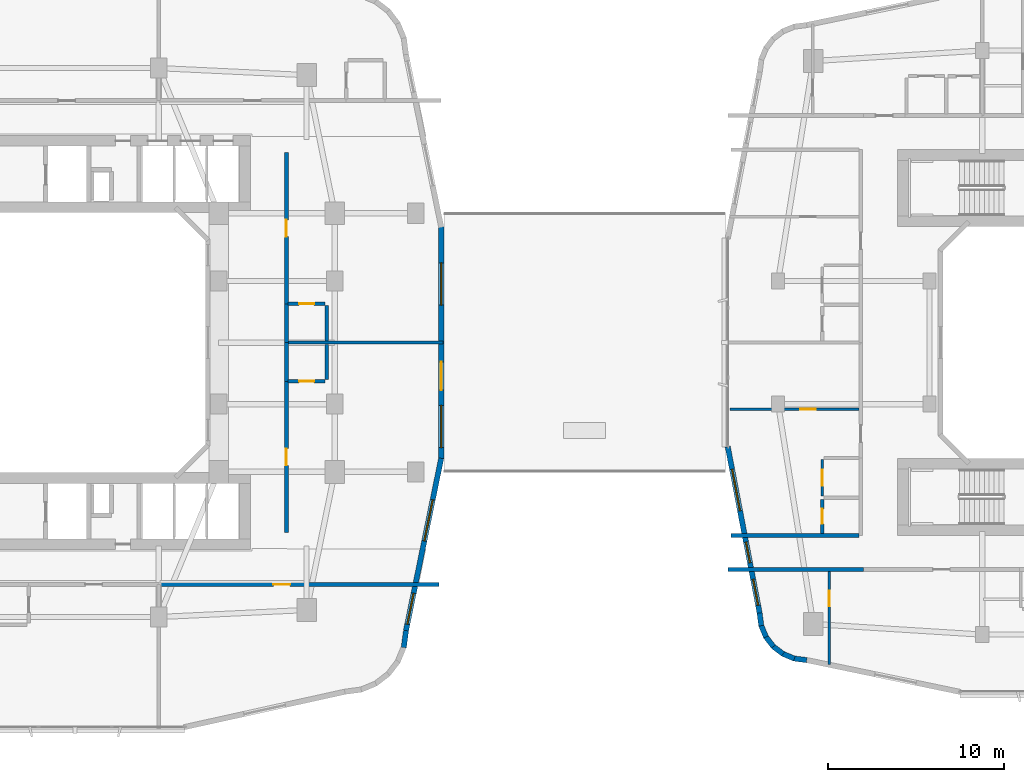
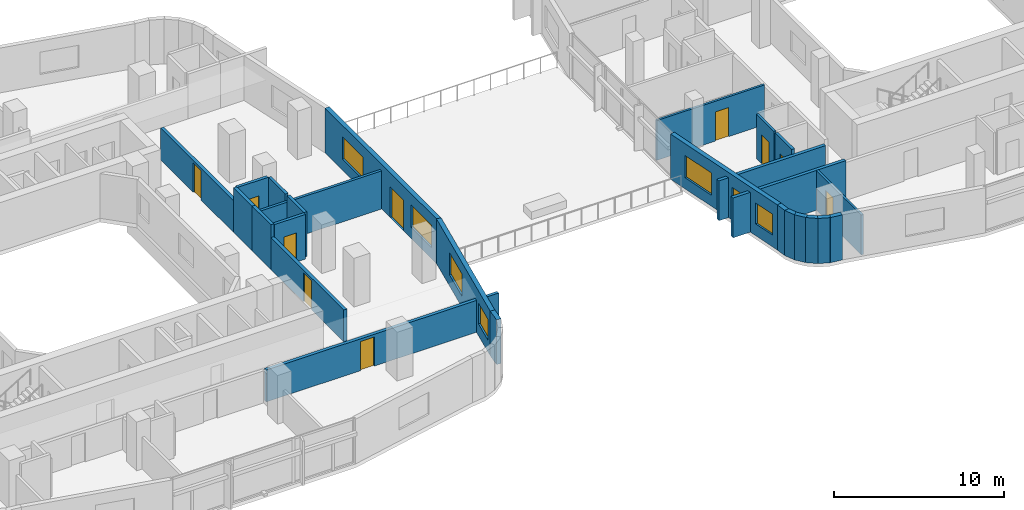
# One storey, part 14 of 25: 26 walls, 10 doors, 7 windows, 17 openings.
"""IFC4 building model written with IfcOpenShell, lengths in metres."""

from ifc_helpers import new_model, si_unit, derived_unit, direction, frame, frame_2d, origin, place, context, subcontext, project, spatial, rectangle, extrude, material, layer, layer_set, type_object, element, fill, save


model = new_model("IFC4")

# Units and contexts
model_context = context("Model", 3, precision=1e-05, world=origin(), true_north=direction((0.0, 1.0)))
body_context = subcontext(model_context, "Body", "Model", "MODEL_VIEW")
ifc_project = project(units=[si_unit("LENGTHUNIT", "METRE"), si_unit("AREAUNIT", "SQUARE_METRE"), si_unit("VOLUMEUNIT", "CUBIC_METRE"), si_unit("PLANEANGLEUNIT", "RADIAN"), si_unit("MASSUNIT", "GRAM", prefix="KILO"), derived_unit("THERMALTRANSMITTANCEUNIT", [(si_unit("POWERUNIT", "WATT"), 1), (si_unit("LENGTHUNIT", "METRE"), -2), (si_unit("THERMODYNAMICTEMPERATUREUNIT", "KELVIN"), -1)])], contexts=[model_context])

# Site, building, storey
site_placement = place(None, origin())
site = spatial("IfcSite", under=ifc_project, at=site_placement, CompositionType="ELEMENT")
building_placement = place(site_placement, origin())
building = spatial("IfcBuilding", under=site, at=building_placement, Name="Kivonza Crest Hotel", CompositionType="ELEMENT")
storey_placement = place(building_placement, frame((0.0, 0.0, 24.0)))
storey = spatial("IfcBuildingStorey", under=building, at=storey_placement, Name="L05", CompositionType="ELEMENT", Elevation=24.0)

# Wall
ifc_material_1 = material(Name="High-density acoustic masonry inter-tenancy wall", Category="masonry")
ifc_layer_1 = layer(ifc_material_1, 0.179931640625)
ifc_layer_set_1 = layer_set([ifc_layer_1], Name="High-density acoustic masonry inter-tenancy wall")
wall_type_1 = type_object("IfcWallType", Name="WL-ACOU-180", PredefinedType="SOLIDWALL", material=ifc_layer_set_1)
wall_1_placement = place(storey_placement, frame((33.050048828125, 25.0, 0.0), z_axis=(0.0, 0.0, 1.0), x_axis=(1.0, 0.0, 0.0)))
element("IfcWall", 1, at=wall_1_placement, inside=storey, type_object=wall_type_1, Name="L05 interior partition WA-L05-T1E-DIV1", PredefinedType="SOLIDWALL", context=body_context, shape_type="SweptSolid", body=[
    extrude(rectangle(XDim=8.889892578125, YDim=0.179931640625, at=frame_2d((4.44482421875, 0.0))), origin(), (0.0, 0.0, 1.0), 2.7451171875),
])

# Wall, opening, door
ifc_material_2 = material(Name="Autoclaved aerated concrete blockwork", Category="masonry")
ifc_layer_2 = layer(ifc_material_2, 0.219970703125)
ifc_layer_set_2 = layer_set([ifc_layer_2], Name="Autoclaved aerated concrete blockwork")
wall_type_2 = type_object("IfcWallType", Name="WL-ACOU-220", PredefinedType="SOLIDWALL", material=ifc_layer_set_2)
wall_2_placement = place(storey_placement, frame((25.89990234375, 11.25, 0.0), z_axis=(0.0, 0.0, 1.0), x_axis=(1.0, 0.0, 0.0)))
wall_2 = element("IfcWall", 2, at=wall_2_placement, inside=storey, type_object=wall_type_2, Name="L05 interior partition WA-L05-BUS-MTG-N", PredefinedType="SOLIDWALL", context=body_context, shape_type="SweptSolid", body=[
    extrude(rectangle(XDim=15.840087890625, YDim=0.219970703125, at=frame_2d((7.919921875, 0.0))), origin(), (0.0, 0.0, 1.0), 2.294921875),
])
opening_1_placement = place(wall_2_placement, frame((6.410888671875, 0.0, 0.0)))
opening_1 = element("IfcOpeningElement", 3, at=opening_1_placement, cuts=wall_2, Name="Opening DF-60S", PredefinedType="OPENING", context=body_context, shape_type="SweptSolid", body=[
    extrude(rectangle(XDim=0.949951171875, YDim=2.10009765625, at=frame_2d((0.47509765625, 1.050048828125))), frame((0.0, 0.1201171875, 0.0), z_axis=(0.0, -1.0, 0.0), x_axis=(1.0, 0.0, 0.0)), (0.0, 0.0, 1.0), 0.239990234375),
])
ifc_material_3 = material(Name="Hardwood timber oak", Category="wood")
door_type_1 = type_object("IfcDoorType", Name="DR-FD60-950", OperationType="NOTDEFINED", PredefinedType="DOOR", material=ifc_material_3)
door_1_placement = place(opening_1_placement, frame((0.949951171875, 0.0, 0.0), z_axis=(0.0, 0.0, 1.0), x_axis=(-1.0, 0.0, 0.0)))
door_1 = element("IfcDoor", 4, at=door_1_placement, inside=storey, type_object=door_type_1, Name="L05 Guest Business Office door", OperationType="SINGLE_SWING_RIGHT", OverallHeight=2.10009765625, OverallWidth=0.949951171875, PredefinedType="DOOR", context=body_context, shape_type="SweptSolid", body=[
    extrude(rectangle(XDim=0.949951171875, YDim=2.10009765625, at=frame_2d((0.47509765625, 1.050048828125))), frame((0.0, 0.02490234375, 0.0), z_axis=(0.0, -1.0, 0.0), x_axis=(1.0, 0.0, 0.0)), (0.0, 0.0, 1.0), 0.050048828125),
])
fill(opening_1, door_1)

# Wall
wall_3_placement = place(storey_placement, frame((33.050048828125, 22.800048828125, 0.0), z_axis=(0.0, 0.0, 1.0), x_axis=(0.0, 1.0, 0.0)))
element("IfcWall", 5, at=wall_3_placement, inside=storey, type_object=wall_type_2, Name="L05 interior partition WA-L05-E08-BCORR", PredefinedType="SOLIDWALL", context=body_context, shape_type="SweptSolid", body=[
    extrude(rectangle(XDim=2.199951171875, YDim=0.219970703125, at=frame_2d((1.10009765625, 0.0))), origin(), (0.0, 0.0, 1.0), 3.219970703125),
])

# Wall, opening, door
wall_4_placement = place(storey_placement, frame((33.050048828125, 14.199951171875, 0.0), z_axis=(0.0, 0.0, 1.0), x_axis=(0.0, 1.0, 0.0)))
wall_4 = element("IfcWall", 6, at=wall_4_placement, inside=storey, type_object=wall_type_2, Name="L05 interior partition WA-L05-E08-MCORR", PredefinedType="SOLIDWALL", context=body_context, shape_type="SweptSolid", body=[
    extrude(rectangle(XDim=8.60009765625, YDim=0.219970703125, at=frame_2d((4.300048828125, 0.0))), origin(), (0.0, 0.0, 1.0), 2.294921875),
])
opening_2_placement = place(wall_4_placement, frame((3.824951171875, 0.0, 0.0)))
opening_2 = element("IfcOpeningElement", 7, at=opening_2_placement, cuts=wall_4, Name="Opening DU-60", PredefinedType="OPENING", context=body_context, shape_type="SweptSolid", body=[
    extrude(rectangle(XDim=0.949951171875, YDim=2.10009765625, at=frame_2d((0.47509765625, 1.050048828125))), frame((0.0, 0.1201171875, 0.0), z_axis=(0.0, -1.0, 0.0), x_axis=(1.0, 0.0, 0.0)), (0.0, 0.0, 1.0), 0.239990234375),
])
door_type_2 = type_object("IfcDoorType", Name="DR-UNIT-950", OperationType="NOTDEFINED", PredefinedType="DOOR", material=ifc_material_3)
door_2_placement = place(opening_2_placement, frame((0.949951171875, 0.0, 0.0), z_axis=(0.0, 0.0, 1.0), x_axis=(-1.0, 0.0, 0.0)))
door_2 = element("IfcDoor", 8, at=door_2_placement, inside=storey, type_object=door_type_2, Name="L05 E08 guest unit entrance fire door", OperationType="SINGLE_SWING_RIGHT", OverallHeight=2.10009765625, OverallWidth=0.949951171875, PredefinedType="DOOR", context=body_context, shape_type="SweptSolid", body=[
    extrude(rectangle(XDim=0.949951171875, YDim=2.10009765625, at=frame_2d((0.47509765625, 1.050048828125))), frame((0.0, 0.02490234375, 0.0), z_axis=(0.0, -1.0, 0.0), x_axis=(1.0, 0.0, 0.0)), (0.0, 0.0, 1.0), 0.050048828125),
])
fill(opening_2, door_2)

# Wall
wall_5_placement = place(storey_placement, frame((33.050048828125, 25.0, 0.0), z_axis=(0.0, 0.0, 1.0), x_axis=(0.0, 1.0, 0.0)))
element("IfcWall", 9, at=wall_5_placement, inside=storey, type_object=wall_type_2, Name="L05 interior partition WA-L05-E09-BCORR", PredefinedType="SOLIDWALL", context=body_context, shape_type="SweptSolid", body=[
    extrude(rectangle(XDim=2.199951171875, YDim=0.219970703125, at=frame_2d((1.10009765625, 0.0))), origin(), (0.0, 0.0, 1.0), 3.219970703125),
])

# Wall, opening, door
wall_6_placement = place(storey_placement, frame((33.050048828125, 27.199951171875, 0.0), z_axis=(0.0, 0.0, 1.0), x_axis=(0.0, 1.0, 0.0)))
wall_6 = element("IfcWall", 10, at=wall_6_placement, inside=storey, type_object=wall_type_2, Name="L05 interior partition WA-L05-E09-MCORR", PredefinedType="SOLIDWALL", context=body_context, shape_type="SweptSolid", body=[
    extrude(rectangle(XDim=8.60009765625, YDim=0.219970703125, at=frame_2d((4.300048828125, 0.0))), origin(), (0.0, 0.0, 1.0), 2.294921875),
])
opening_3_placement = place(wall_6_placement, frame((3.824951171875, 0.0, 0.0)))
opening_3 = element("IfcOpeningElement", 11, at=opening_3_placement, cuts=wall_6, Name="Opening DU-60", PredefinedType="OPENING", context=body_context, shape_type="SweptSolid", body=[
    extrude(rectangle(XDim=0.949951171875, YDim=2.10009765625, at=frame_2d((0.47509765625, 1.050048828125))), frame((0.0, 0.1201171875, 0.0), z_axis=(0.0, -1.0, 0.0), x_axis=(1.0, 0.0, 0.0)), (0.0, 0.0, 1.0), 0.239990234375),
])
door_3_placement = place(opening_3_placement, frame((0.949951171875, 0.0, 0.0), z_axis=(0.0, 0.0, 1.0), x_axis=(-1.0, 0.0, 0.0)))
door_3 = element("IfcDoor", 12, at=door_3_placement, inside=storey, type_object=door_type_2, Name="L05 E09 guest unit entrance fire door", OperationType="SINGLE_SWING_LEFT", OverallHeight=2.10009765625, OverallWidth=0.949951171875, PredefinedType="DOOR", context=body_context, shape_type="SweptSolid", body=[
    extrude(rectangle(XDim=0.949951171875, YDim=2.10009765625, at=frame_2d((0.47509765625, 1.050048828125))), frame((0.0, 0.02490234375, 0.0), z_axis=(0.0, -1.0, 0.0), x_axis=(1.0, 0.0, 0.0)), (0.0, 0.0, 1.0), 0.050048828125),
])
fill(opening_3, door_3)

# Walls
wall_7_placement = place(storey_placement, frame((58.159912109375, 12.10009765625, 0.0), z_axis=(0.0, 0.0, 1.0), x_axis=(1.0, 0.0, 0.0)))
element("IfcWall", 13, at=wall_7_placement, inside=storey, type_object=wall_type_2, Name="L05 interior partition WA-L05-A03-LCORR", PredefinedType="SOLIDWALL", context=body_context, shape_type="SweptSolid", body=[
    extrude(rectangle(XDim=7.690185546875, YDim=0.219970703125, at=frame_2d((3.84521484375, 0.0))), origin(), (0.0, 0.0, 1.0), 2.864990234375),
])
wall_8_placement = place(storey_placement, frame((58.320068359375, 14.0400390625, 0.0), z_axis=(0.0, 0.0, 1.0), x_axis=(1.0, 0.0, 0.0)))
element("IfcWall", 14, at=wall_8_placement, inside=storey, type_object=wall_type_2, Name="L05 interior partition WA-L05-T2W-ENDS", PredefinedType="SOLIDWALL", context=body_context, shape_type="SweptSolid", body=[
    extrude(rectangle(XDim=7.280029296875, YDim=0.219970703125, at=frame_2d((3.64013671875, 0.0))), origin(), (0.0, 0.0, 1.0), 2.864990234375),
])
ifc_material_4 = material(Name="Precast concrete C40/50", Category="concrete")
ifc_layer_3 = layer(ifc_material_4, 0.300048828125)
ifc_layer_set_3 = layer_set([ifc_layer_3], Name="Precast concrete C40/50")
wall_type_3 = type_object("IfcWallType", Name="WL-EXT-300", PredefinedType="STANDARD", material=ifc_layer_set_3)
wall_9_placement = place(storey_placement, frame((39.72509765625, 7.6630859375, 0.0), z_axis=(0.0, 0.0, 1.0), x_axis=(0.130454512571, 0.991454295543, 0.0)))
element("IfcWall", 15, at=wall_9_placement, inside=storey, type_object=wall_type_3, Name="L05 T1 exterior insulated wall 15", PredefinedType="STANDARD", context=body_context, shape_type="SweptSolid", body=[
    extrude(rectangle(XDim=0.97314453125, YDim=0.300048828125, at=frame_2d((0.486572265625, 0.0))), origin(), (0.0, 0.0, 1.0), 3.219970703125),
])

# Wall, openings, windows
wall_10_placement = place(storey_placement, frame((39.85107421875, 8.6220703125, 0.0), z_axis=(0.0, 0.0, 1.0), x_axis=(0.200002104792, 0.979795467472, 0.0)))
wall_10 = element("IfcWall", 16, at=wall_10_placement, inside=storey, type_object=wall_type_3, Name="L05 T1 exterior insulated wall 16", PredefinedType="STANDARD", context=body_context, shape_type="SweptSolid", body=[
    extrude(rectangle(XDim=10.0, YDim=0.300048828125, at=frame_2d((5.0, 0.0))), origin(), (0.0, 0.0, 1.0), 3.219970703125),
])
opening_4_placement = place(wall_10_placement, frame((0.3779296875, 0.0, 0.85009765625)))
opening_4 = element("IfcOpeningElement", 17, at=opening_4_placement, cuts=wall_10, Name="Opening WN-03", PredefinedType="OPENING", context=body_context, shape_type="SweptSolid", body=[
    extrude(rectangle(XDim=1.800048828125, YDim=1.5, at=frame_2d((0.89990234375, 0.75))), frame((0.0, 0.16015625, 0.0), z_axis=(0.0, -1.0, 0.0), x_axis=(1.0, 0.0, 0.0)), (0.0, 0.0, 1.0), 0.320068359375),
])
opening_5_placement = place(wall_10_placement, frame((5.2041015625, 0.0, 0.800048828125)))
opening_5 = element("IfcOpeningElement", 18, at=opening_5_placement, cuts=wall_10, Name="Opening WN-05", PredefinedType="OPENING", context=body_context, shape_type="SweptSolid", body=[
    extrude(rectangle(XDim=2.39990234375, YDim=1.60009765625, at=frame_2d((1.199951171875, 0.800048828125))), frame((0.0, 0.16015625, 0.0), z_axis=(0.0, -1.0, 0.0), x_axis=(1.0, 0.0, 0.0)), (0.0, 0.0, 1.0), 0.320068359375),
])
ifc_material_5 = material(Name="Thermally broken bronze aluminium and low-E double glazing", Category="aluminium")
window_type_1 = type_object("IfcWindowType", Name="WN-180x150", PartitioningType="DOUBLE_PANEL_VERTICAL", PredefinedType="WINDOW", material=ifc_material_5)
window_1_placement = place(opening_4_placement, origin())
window_1 = element("IfcWindow", 19, at=window_1_placement, inside=storey, type_object=window_type_1, Name="L05 T1 facade window 16 bay 1", OverallHeight=1.5, OverallWidth=1.800048828125, PartitioningType="SINGLE_PANEL", PredefinedType="WINDOW", context=body_context, shape_type="SweptSolid", body=[
    extrude(rectangle(XDim=1.800048828125, YDim=1.5, at=frame_2d((0.89990234375, 0.75))), frame((0.0, 0.030029296875, 0.0), z_axis=(0.0, -1.0, 0.0), x_axis=(1.0, 0.0, 0.0)), (0.0, 0.0, 1.0), 0.06005859375),
])
fill(opening_4, window_1)
window_type_2 = type_object("IfcWindowType", Name="WN-240x160", PartitioningType="TRIPLE_PANEL_VERTICAL", PredefinedType="WINDOW", material=ifc_material_5)
window_2_placement = place(opening_5_placement, origin())
window_2 = element("IfcWindow", 20, at=window_2_placement, inside=storey, type_object=window_type_2, Name="L05 T1 facade window 16 bay 2", OverallHeight=1.60009765625, OverallWidth=2.39990234375, PartitioningType="SINGLE_PANEL", PredefinedType="WINDOW", context=body_context, shape_type="SweptSolid", body=[
    extrude(rectangle(XDim=2.39990234375, YDim=1.60009765625, at=frame_2d((1.199951171875, 0.800048828125))), frame((0.0, 0.030029296875, 0.0), z_axis=(0.0, -1.0, 0.0), x_axis=(1.0, 0.0, 0.0)), (0.0, 0.0, 1.0), 0.06005859375),
])
fill(opening_5, window_2)

# Wall, openings, door, windows
wall_11_placement = place(storey_placement, frame((41.85009765625, 18.375, 0.0), z_axis=(0.0, 0.0, 1.0), x_axis=(0.0, 1.0, 0.0)))
wall_11 = element("IfcWall", 21, at=wall_11_placement, inside=storey, type_object=wall_type_3, Name="L05 T1 exterior insulated wall 17", PredefinedType="STANDARD", context=body_context, shape_type="SweptSolid", body=[
    extrude(rectangle(XDim=13.215087890625, YDim=0.300048828125, at=frame_2d((6.607421875, 0.0))), origin(), (0.0, 0.0, 1.0), 3.219970703125),
])
opening_6_placement = place(wall_11_placement, frame((3.925048828125, 0.0, 0.0)))
opening_6 = element("IfcOpeningElement", 22, at=opening_6_placement, cuts=wall_11, Name="Opening DT-160", PredefinedType="OPENING", context=body_context, shape_type="SweptSolid", body=[
    extrude(rectangle(XDim=1.60009765625, YDim=2.199951171875, at=frame_2d((0.800048828125, 1.10009765625))), frame((0.0, 0.16015625, 0.0), z_axis=(0.0, -1.0, 0.0), x_axis=(1.0, 0.0, 0.0)), (0.0, 0.0, 1.0), 0.320068359375),
])
opening_7_placement = place(wall_11_placement, frame((0.656982421875, 0.0, 0.800048828125)))
opening_7 = element("IfcOpeningElement", 23, at=opening_7_placement, cuts=wall_11, Name="Opening WN-05", PredefinedType="OPENING", context=body_context, shape_type="SweptSolid", body=[
    extrude(rectangle(XDim=2.39990234375, YDim=1.60009765625, at=frame_2d((1.199951171875, 0.800048828125))), frame((0.0, 0.16015625, 0.0), z_axis=(0.0, -1.0, 0.0), x_axis=(1.0, 0.0, 0.0)), (0.0, 0.0, 1.0), 0.320068359375),
])
opening_8_placement = place(wall_11_placement, frame((8.75, 0.0, 0.800048828125)))
opening_8 = element("IfcOpeningElement", 24, at=opening_8_placement, cuts=wall_11, Name="Opening WN-05", PredefinedType="OPENING", context=body_context, shape_type="SweptSolid", body=[
    extrude(rectangle(XDim=2.39990234375, YDim=1.60009765625, at=frame_2d((1.199951171875, 0.800048828125))), frame((0.0, 0.16015625, 0.0), z_axis=(0.0, -1.0, 0.0), x_axis=(1.0, 0.0, 0.0)), (0.0, 0.0, 1.0), 0.320068359375),
])
ifc_material_6 = material(Name="Anodised bronze aluminium and laminated safety glass", Category="aluminium")
door_type_3 = type_object("IfcDoorType", Name="DR-TERR-1600", OperationType="NOTDEFINED", PredefinedType="DOOR", material=ifc_material_6)
door_4_placement = place(opening_6_placement, frame((1.60009765625, 0.0, 0.0), z_axis=(0.0, 0.0, 1.0), x_axis=(-1.0, 0.0, 0.0)))
door_4 = element("IfcDoor", 25, at=door_4_placement, inside=storey, type_object=door_type_3, Name="L05 podium rooftop garden terrace door", OperationType="DOUBLE_DOOR_SINGLE_SWING", OverallHeight=2.199951171875, OverallWidth=1.60009765625, PredefinedType="DOOR", context=body_context, shape_type="SweptSolid", body=[
    extrude(rectangle(XDim=1.60009765625, YDim=2.199951171875, at=frame_2d((0.800048828125, 1.10009765625))), frame((0.0, 0.02490234375, 0.0), z_axis=(0.0, -1.0, 0.0), x_axis=(1.0, 0.0, 0.0)), (0.0, 0.0, 1.0), 0.050048828125),
])
fill(opening_6, door_4)
window_3_placement = place(opening_7_placement, origin())
window_3 = element("IfcWindow", 26, at=window_3_placement, inside=storey, type_object=window_type_2, Name="L05 T1 facade window 17 bay 1", OverallHeight=1.60009765625, OverallWidth=2.39990234375, PartitioningType="SINGLE_PANEL", PredefinedType="WINDOW", context=body_context, shape_type="SweptSolid", body=[
    extrude(rectangle(XDim=2.39990234375, YDim=1.60009765625, at=frame_2d((1.199951171875, 0.800048828125))), frame((0.0, 0.030029296875, 0.0), z_axis=(0.0, -1.0, 0.0), x_axis=(1.0, 0.0, 0.0)), (0.0, 0.0, 1.0), 0.06005859375),
])
fill(opening_7, window_3)
window_4_placement = place(opening_8_placement, origin())
window_4 = element("IfcWindow", 27, at=window_4_placement, inside=storey, type_object=window_type_2, Name="L05 T1 facade window 17 bay 2", OverallHeight=1.60009765625, OverallWidth=2.39990234375, PartitioningType="SINGLE_PANEL", PredefinedType="WINDOW", context=body_context, shape_type="SweptSolid", body=[
    extrude(rectangle(XDim=2.39990234375, YDim=1.60009765625, at=frame_2d((1.199951171875, 0.800048828125))), frame((0.0, 0.030029296875, 0.0), z_axis=(0.0, -1.0, 0.0), x_axis=(1.0, 0.0, 0.0)), (0.0, 0.0, 1.0), 0.06005859375),
])
fill(opening_8, window_4)

# Walls
wall_12_placement = place(storey_placement, frame((59.947998046875, 9.626953125, 0.0), z_axis=(0.0, 0.0, 1.0), x_axis=(0.130255288807, -0.991480488834, 0.0)))
element("IfcWall", 28, at=wall_12_placement, inside=storey, type_object=wall_type_3, Name="L05 T2 exterior insulated wall 1", PredefinedType="STANDARD", context=body_context, shape_type="SweptSolid", body=[
    extrude(rectangle(XDim=0.72900390625, YDim=0.300048828125, at=frame_2d((0.364501953125, 0.0))), origin(), (0.0, 0.0, 1.0), 3.25),
])
for number, where, z_axis, x_axis, name in (
    (29, (60.02392578125, 8.955078125, 0.0), (0.0, 0.0, 1.0), (0.383546213491, -0.923521684703, 0.0), "L05 T2 exterior insulated wall 2"),
    (30, (60.279052734375, 8.31103515625, 0.0), (0.0, 0.0, 1.0), (0.608397189915, -0.79363269798, 0.0), "L05 T2 exterior insulated wall 3"),
    (31, (60.69091796875, 7.75390625, 0.0), (0.0, 0.0, 1.0), (0.79363269798, -0.608397189915, 0.0), "L05 T2 exterior insulated wall 4"),
    (32, (61.23388671875, 7.323974609375, 0.0), (0.0, 0.0, 1.0), (0.923685632463, -0.383151213466, 0.0), "L05 T2 exterior insulated wall 5"),
):
    element("IfcWall", number, at=place(storey_placement, frame(where, z_axis=z_axis, x_axis=x_axis)), inside=storey, type_object=wall_type_3, Name=name, PredefinedType="STANDARD", context=body_context, shape_type="SweptSolid", body=[
        extrude(rectangle(XDim=0.74609375, YDim=0.300048828125, at=frame_2d((0.373046875, 0.0))), origin(), (0.0, 0.0, 1.0), 3.25),
    ])
wall_13_placement = place(storey_placement, frame((61.868896484375, 7.047119140625, 0.0), z_axis=(0.0, 0.0, 1.0), x_axis=(0.991559404866, -0.129653178221, 0.0)))
element("IfcWall", 33, at=wall_13_placement, inside=storey, type_object=wall_type_3, Name="L05 T2 exterior insulated wall 6", PredefinedType="STANDARD", context=body_context, shape_type="SweptSolid", body=[
    extrude(rectangle(XDim=0.764404296875, YDim=0.300048828125, at=frame_2d((0.38232421875, 0.0))), origin(), (0.0, 0.0, 1.0), 3.25),
])

# Wall, openings, windows
wall_14_placement = place(storey_placement, frame((58.136962890625, 19.08203125, 0.0), z_axis=(0.0, 0.0, 1.0), x_axis=(0.188087874316, -0.982152203854, 0.0)))
wall_14 = element("IfcWall", 34, at=wall_14_placement, inside=storey, type_object=wall_type_3, Name="L05 T2 exterior insulated wall 36", PredefinedType="STANDARD", context=body_context, shape_type="SweptSolid", body=[
    extrude(rectangle(XDim=9.6337890625, YDim=0.300048828125, at=frame_2d((4.81689453125, 0.0))), origin(), (0.0, 0.0, 1.0), 3.25),
])
opening_9_placement = place(wall_14_placement, frame((1.305908203125, 0.0, 0.800048828125)))
opening_9 = element("IfcOpeningElement", 35, at=opening_9_placement, cuts=wall_14, Name="Opening WN-05", PredefinedType="OPENING", context=body_context, shape_type="SweptSolid", body=[
    extrude(rectangle(XDim=2.39990234375, YDim=1.60009765625, at=frame_2d((1.199951171875, 0.800048828125))), frame((0.0, 0.16015625, 0.0), z_axis=(0.0, -1.0, 0.0), x_axis=(1.0, 0.0, 0.0)), (0.0, 0.0, 1.0), 0.320068359375),
])
opening_10_placement = place(wall_14_placement, frame((5.52099609375, 0.0, 0.85009765625)))
opening_10 = element("IfcOpeningElement", 36, at=opening_10_placement, cuts=wall_14, Name="Opening WN-01", PredefinedType="OPENING", context=body_context, shape_type="SweptSolid", body=[
    extrude(rectangle(XDim=1.199951171875, YDim=1.5, at=frame_2d((0.60009765625, 0.75))), frame((0.0, 0.16015625, 0.0), z_axis=(0.0, -1.0, 0.0), x_axis=(1.0, 0.0, 0.0)), (0.0, 0.0, 1.0), 0.320068359375),
])
opening_11_placement = place(wall_14_placement, frame((7.681884765625, 0.0, 0.85009765625)))
opening_11 = element("IfcOpeningElement", 37, at=opening_11_placement, cuts=wall_14, Name="Opening WN-02", PredefinedType="OPENING", context=body_context, shape_type="SweptSolid", body=[
    extrude(rectangle(XDim=1.5, YDim=1.5, at=frame_2d((0.75, 0.75))), frame((0.0, 0.16015625, 0.0), z_axis=(0.0, -1.0, 0.0), x_axis=(1.0, 0.0, 0.0)), (0.0, 0.0, 1.0), 0.320068359375),
])
window_type_3 = type_object("IfcWindowType", Name="WN-120x150", PartitioningType="SINGLE_PANEL", PredefinedType="WINDOW", material=ifc_material_5)
window_5_placement = place(opening_10_placement, origin())
window_5 = element("IfcWindow", 38, at=window_5_placement, inside=storey, type_object=window_type_3, Name="L05 T2 facade window 36 bay 2", OverallHeight=1.5, OverallWidth=1.199951171875, PartitioningType="SINGLE_PANEL", PredefinedType="WINDOW", context=body_context, shape_type="SweptSolid", body=[
    extrude(rectangle(XDim=1.199951171875, YDim=1.5, at=frame_2d((0.60009765625, 0.75))), frame((0.0, 0.030029296875, 0.0), z_axis=(0.0, -1.0, 0.0), x_axis=(1.0, 0.0, 0.0)), (0.0, 0.0, 1.0), 0.06005859375),
])
fill(opening_10, window_5)
window_type_4 = type_object("IfcWindowType", Name="WN-150x150", PartitioningType="DOUBLE_PANEL_VERTICAL", PredefinedType="WINDOW", material=ifc_material_5)
window_6_placement = place(opening_11_placement, origin())
window_6 = element("IfcWindow", 39, at=window_6_placement, inside=storey, type_object=window_type_4, Name="L05 T2 facade window 36 bay 3", OverallHeight=1.5, OverallWidth=1.5, PartitioningType="SINGLE_PANEL", PredefinedType="WINDOW", context=body_context, shape_type="SweptSolid", body=[
    extrude(rectangle(XDim=1.5, YDim=1.5, at=frame_2d((0.75, 0.75))), frame((0.0, 0.030029296875, 0.0), z_axis=(0.0, -1.0, 0.0), x_axis=(1.0, 0.0, 0.0)), (0.0, 0.0, 1.0), 0.06005859375),
])
fill(opening_11, window_6)
window_7_placement = place(opening_9_placement, origin())
window_7 = element("IfcWindow", 40, at=window_7_placement, inside=storey, type_object=window_type_2, Name="L05 T2 facade window 36 bay 1", OverallHeight=1.60009765625, OverallWidth=2.39990234375, PartitioningType="SINGLE_PANEL", PredefinedType="WINDOW", context=body_context, shape_type="SweptSolid", body=[
    extrude(rectangle(XDim=2.39990234375, YDim=1.60009765625, at=frame_2d((1.199951171875, 0.800048828125))), frame((0.0, 0.030029296875, 0.0), z_axis=(0.0, -1.0, 0.0), x_axis=(1.0, 0.0, 0.0)), (0.0, 0.0, 1.0), 0.06005859375),
])
fill(opening_9, window_7)

# Wall, opening, door
ifc_material_7 = material(Name="Twin-stud acoustic gypsum board partition", Category="gypsum")
ifc_layer_4 = layer(ifc_material_7, 0.14990234375)
ifc_layer_set_4 = layer_set([ifc_layer_4], Name="Twin-stud acoustic gypsum board partition")
wall_type_4 = type_object("IfcWallType", Name="WL-PART-150", PredefinedType="PARTITIONING", material=ifc_layer_set_4)
wall_15_placement = place(storey_placement, frame((63.909912109375, 6.68896484375, 0.0), z_axis=(0.0, 0.0, 1.0), x_axis=(0.0, 1.0, 0.0)))
wall_15 = element("IfcWall", 41, at=wall_15_placement, inside=storey, type_object=wall_type_4, Name="L05 interior partition WP-L05-A03-BDW1", PredefinedType="PARTITIONING", context=body_context, shape_type="SweptSolid", body=[
    extrude(rectangle(XDim=5.31103515625, YDim=0.14990234375, at=frame_2d((2.655517578125, 0.0))), origin(), (0.0, 0.0, 1.0), 2.864990234375),
])
opening_12_placement = place(wall_15_placement, frame((3.31005859375, 0.0, 0.0)))
opening_12 = element("IfcOpeningElement", 42, at=opening_12_placement, cuts=wall_15, Name="Opening DI-90", PredefinedType="OPENING", context=body_context, shape_type="SweptSolid", body=[
    extrude(rectangle(XDim=0.89990234375, YDim=2.10009765625, at=frame_2d((0.449951171875, 1.050048828125))), frame((0.0, 0.0849609375, 0.0), z_axis=(0.0, -1.0, 0.0), x_axis=(1.0, 0.0, 0.0)), (0.0, 0.0, 1.0), 0.169921875),
])
door_type_4 = type_object("IfcDoorType", Name="DR-INT-900", OperationType="NOTDEFINED", PredefinedType="DOOR", material=ifc_material_3)
door_5_placement = place(opening_12_placement, origin())
door_5 = element("IfcDoor", 43, at=door_5_placement, inside=storey, type_object=door_type_4, Name="L05 A03 bedroom 1 door", OperationType="SINGLE_SWING_RIGHT", OverallHeight=2.10009765625, OverallWidth=0.89990234375, PredefinedType="DOOR", context=body_context, shape_type="SweptSolid", body=[
    extrude(rectangle(XDim=0.89990234375, YDim=2.10009765625, at=frame_2d((0.449951171875, 1.050048828125))), frame((0.0, 0.02490234375, 0.0), z_axis=(0.0, -1.0, 0.0), x_axis=(1.0, 0.0, 0.0)), (0.0, 0.0, 1.0), 0.050048828125),
])
fill(opening_12, door_5)

wall_16_placement = place(storey_placement, frame((58.260009765625, 21.199951171875, 0.0), z_axis=(0.0, 0.0, 1.0), x_axis=(1.0, 0.0, 0.0)))
wall_16 = element("IfcWall", 44, at=wall_16_placement, inside=storey, type_object=wall_type_4, Name="L05 interior partition WP-L05-A05-BD1", PredefinedType="PARTITIONING", context=body_context, shape_type="SweptSolid", body=[
    extrude(rectangle(XDim=7.340087890625, YDim=0.14990234375, at=frame_2d((3.669921875, 0.0))), origin(), (0.0, 0.0, 1.0), 2.864990234375),
])
opening_13_placement = place(wall_16_placement, frame((3.989990234375, 0.0, 0.0)))
opening_13 = element("IfcOpeningElement", 45, at=opening_13_placement, cuts=wall_16, Name="Opening DI-90", PredefinedType="OPENING", context=body_context, shape_type="SweptSolid", body=[
    extrude(rectangle(XDim=0.89990234375, YDim=2.10009765625, at=frame_2d((0.449951171875, 1.050048828125))), frame((0.0, 0.0849609375, 0.0), z_axis=(0.0, -1.0, 0.0), x_axis=(1.0, 0.0, 0.0)), (0.0, 0.0, 1.0), 0.169921875),
])
door_6_placement = place(opening_13_placement, origin())
door_6 = element("IfcDoor", 46, at=door_6_placement, inside=storey, type_object=door_type_4, Name="L05 A05 bedroom door", OperationType="SINGLE_SWING_RIGHT", OverallHeight=2.10009765625, OverallWidth=0.89990234375, PredefinedType="DOOR", context=body_context, shape_type="SweptSolid", body=[
    extrude(rectangle(XDim=0.89990234375, YDim=2.10009765625, at=frame_2d((0.449951171875, 1.050048828125))), frame((0.0, 0.02490234375, 0.0), z_axis=(0.0, -1.0, 0.0), x_axis=(1.0, 0.0, 0.0)), (0.0, 0.0, 1.0), 0.050048828125),
])
fill(opening_13, door_6)

wall_17_placement = place(storey_placement, frame((63.5, 16.2900390625, 0.0), z_axis=(0.0, 0.0, 1.0), x_axis=(0.0, 1.0, 0.0)))
wall_17 = element("IfcWall", 47, at=wall_17_placement, inside=storey, type_object=wall_type_4, Name="L05 interior partition WP-L05-A05-KSVC", PredefinedType="PARTITIONING", context=body_context, shape_type="SweptSolid", body=[
    extrude(rectangle(XDim=2.050048828125, YDim=0.14990234375, at=frame_2d((1.02490234375, 0.0))), origin(), (0.0, 0.0, 1.0), 3.219970703125),
])
opening_14_placement = place(wall_17_placement, frame((0.574951171875, 0.0, 0.0)))
opening_14 = element("IfcOpeningElement", 48, at=opening_14_placement, cuts=wall_17, Name="Opening DI-90", PredefinedType="OPENING", context=body_context, shape_type="SweptSolid", body=[
    extrude(rectangle(XDim=0.89990234375, YDim=2.10009765625, at=frame_2d((0.449951171875, 1.050048828125))), frame((0.0, 0.0849609375, 0.0), z_axis=(0.0, -1.0, 0.0), x_axis=(1.0, 0.0, 0.0)), (0.0, 0.0, 1.0), 0.169921875),
])
door_7_placement = place(opening_14_placement, origin())
door_7 = element("IfcDoor", 49, at=door_7_placement, inside=storey, type_object=door_type_4, Name="L05 A05 apartment kitchen door", OperationType="SINGLE_SWING_LEFT", OverallHeight=2.10009765625, OverallWidth=0.89990234375, PredefinedType="DOOR", context=body_context, shape_type="SweptSolid", body=[
    extrude(rectangle(XDim=0.89990234375, YDim=2.10009765625, at=frame_2d((0.449951171875, 1.050048828125))), frame((0.0, 0.02490234375, 0.0), z_axis=(0.0, -1.0, 0.0), x_axis=(1.0, 0.0, 0.0)), (0.0, 0.0, 1.0), 0.050048828125),
])
fill(opening_14, door_7)

ifc_material_8 = material(Name="Moisture-resistant plumbing chase partition wall", Category="gypsum")
ifc_layer_5 = layer(ifc_material_8, 0.199951171875)
ifc_layer_set_5 = layer_set([ifc_layer_5], Name="Moisture-resistant plumbing chase partition wall")
wall_type_5 = type_object("IfcWallType", Name="WL-PLUMB-200", PredefinedType="PLUMBINGWALL", material=ifc_layer_set_5)
wall_18_placement = place(storey_placement, frame((33.14990234375, 22.800048828125, 0.0), z_axis=(0.0, 0.0, 1.0), x_axis=(1.0, 0.0, 0.0)))
wall_18 = element("IfcWall", 50, at=wall_18_placement, inside=storey, type_object=wall_type_5, Name="L05 interior partition WW-L05-E08-BH", PredefinedType="PLUMBINGWALL", context=body_context, shape_type="SweptSolid", body=[
    extrude(rectangle(XDim=2.10009765625, YDim=0.199951171875, at=frame_2d((1.050048828125, 0.0))), origin(), (0.0, 0.0, 1.0), 3.219970703125),
])
opening_15_placement = place(wall_18_placement, frame((0.625, 0.0, 0.0)))
opening_15 = element("IfcOpeningElement", 51, at=opening_15_placement, cuts=wall_18, Name="Opening DI-85", PredefinedType="OPENING", context=body_context, shape_type="SweptSolid", body=[
    extrude(rectangle(XDim=0.85009765625, YDim=2.10009765625, at=frame_2d((0.425048828125, 1.050048828125))), frame((0.0, 0.10986328125, 0.0), z_axis=(0.0, -1.0, 0.0), x_axis=(1.0, 0.0, 0.0)), (0.0, 0.0, 1.0), 0.219970703125),
])
door_type_5 = type_object("IfcDoorType", Name="DR-INT-850", OperationType="NOTDEFINED", PredefinedType="DOOR", material=ifc_material_3)
door_8_placement = place(opening_15_placement, frame((0.85009765625, 0.0, 0.0), z_axis=(0.0, 0.0, 1.0), x_axis=(-1.0, 0.0, 0.0)))
door_8 = element("IfcDoor", 52, at=door_8_placement, inside=storey, type_object=door_type_5, Name="L05 E08 en-suite bathroom door", OperationType="SINGLE_SWING_LEFT", OverallHeight=2.10009765625, OverallWidth=0.85009765625, PredefinedType="DOOR", context=body_context, shape_type="SweptSolid", body=[
    extrude(rectangle(XDim=0.85009765625, YDim=2.10009765625, at=frame_2d((0.425048828125, 1.050048828125))), frame((0.0, 0.02490234375, 0.0), z_axis=(0.0, -1.0, 0.0), x_axis=(1.0, 0.0, 0.0)), (0.0, 0.0, 1.0), 0.050048828125),
])
fill(opening_15, door_8)

# Wall
wall_19_placement = place(storey_placement, frame((35.35009765625, 22.89990234375, 0.0), z_axis=(0.0, 0.0, 1.0), x_axis=(0.0, 1.0, 0.0)))
element("IfcWall", 53, at=wall_19_placement, inside=storey, type_object=wall_type_5, Name="L05 interior partition WW-L05-E08-BV", PredefinedType="PLUMBINGWALL", context=body_context, shape_type="SweptSolid", body=[
    extrude(rectangle(XDim=2.0, YDim=0.199951171875, at=frame_2d((1.0, 0.0))), origin(), (0.0, 0.0, 1.0), 3.219970703125),
])

# Wall, opening, door
wall_20_placement = place(storey_placement, frame((33.14990234375, 27.199951171875, 0.0), z_axis=(0.0, 0.0, 1.0), x_axis=(1.0, 0.0, 0.0)))
wall_20 = element("IfcWall", 54, at=wall_20_placement, inside=storey, type_object=wall_type_5, Name="L05 interior partition WW-L05-E09-BH", PredefinedType="PLUMBINGWALL", context=body_context, shape_type="SweptSolid", body=[
    extrude(rectangle(XDim=2.10009765625, YDim=0.199951171875, at=frame_2d((1.050048828125, 0.0))), origin(), (0.0, 0.0, 1.0), 3.219970703125),
])
opening_16_placement = place(wall_20_placement, frame((0.625, 0.0, 0.0)))
opening_16 = element("IfcOpeningElement", 55, at=opening_16_placement, cuts=wall_20, Name="Opening DI-85", PredefinedType="OPENING", context=body_context, shape_type="SweptSolid", body=[
    extrude(rectangle(XDim=0.85009765625, YDim=2.10009765625, at=frame_2d((0.425048828125, 1.050048828125))), frame((0.0, 0.10986328125, 0.0), z_axis=(0.0, -1.0, 0.0), x_axis=(1.0, 0.0, 0.0)), (0.0, 0.0, 1.0), 0.219970703125),
])
door_9_placement = place(opening_16_placement, origin())
door_9 = element("IfcDoor", 56, at=door_9_placement, inside=storey, type_object=door_type_5, Name="L05 E09 en-suite bathroom door", OperationType="SINGLE_SWING_RIGHT", OverallHeight=2.10009765625, OverallWidth=0.85009765625, PredefinedType="DOOR", context=body_context, shape_type="SweptSolid", body=[
    extrude(rectangle(XDim=0.85009765625, YDim=2.10009765625, at=frame_2d((0.425048828125, 1.050048828125))), frame((0.0, 0.02490234375, 0.0), z_axis=(0.0, -1.0, 0.0), x_axis=(1.0, 0.0, 0.0)), (0.0, 0.0, 1.0), 0.050048828125),
])
fill(opening_16, door_9)

# Wall
wall_21_placement = place(storey_placement, frame((35.35009765625, 25.10009765625, 0.0), z_axis=(0.0, 0.0, 1.0), x_axis=(0.0, 1.0, 0.0)))
element("IfcWall", 57, at=wall_21_placement, inside=storey, type_object=wall_type_5, Name="L05 interior partition WW-L05-E09-BV", PredefinedType="PLUMBINGWALL", context=body_context, shape_type="SweptSolid", body=[
    extrude(rectangle(XDim=2.0, YDim=0.199951171875, at=frame_2d((1.0, 0.0))), origin(), (0.0, 0.0, 1.0), 3.219970703125),
])

# Wall, opening, door
wall_22_placement = place(storey_placement, frame((63.5, 14.139892578125, 0.0), z_axis=(0.0, 0.0, 1.0), x_axis=(0.0, 1.0, 0.0)))
wall_22 = element("IfcWall", 58, at=wall_22_placement, inside=storey, type_object=wall_type_5, Name="L05 interior partition WW-L05-A05-BSVC", PredefinedType="PLUMBINGWALL", context=body_context, shape_type="SweptSolid", body=[
    extrude(rectangle(XDim=1.9501953125, YDim=0.199951171875, at=frame_2d((0.97509765625, 0.0))), origin(), (0.0, 0.0, 1.0), 3.219970703125),
])
opening_17_placement = place(wall_22_placement, frame((0.550048828125, 0.0, 0.0)))
opening_17 = element("IfcOpeningElement", 59, at=opening_17_placement, cuts=wall_22, Name="Opening DI-85", PredefinedType="OPENING", context=body_context, shape_type="SweptSolid", body=[
    extrude(rectangle(XDim=0.85009765625, YDim=2.10009765625, at=frame_2d((0.425048828125, 1.050048828125))), frame((0.0, 0.10986328125, 0.0), z_axis=(0.0, -1.0, 0.0), x_axis=(1.0, 0.0, 0.0)), (0.0, 0.0, 1.0), 0.219970703125),
])
door_10_placement = place(opening_17_placement, origin())
door_10 = element("IfcDoor", 60, at=door_10_placement, inside=storey, type_object=door_type_5, Name="L05 A05 apartment bathroom door", OperationType="SINGLE_SWING_RIGHT", OverallHeight=2.10009765625, OverallWidth=0.85009765625, PredefinedType="DOOR", context=body_context, shape_type="SweptSolid", body=[
    extrude(rectangle(XDim=0.85009765625, YDim=2.10009765625, at=frame_2d((0.425048828125, 1.050048828125))), frame((0.0, 0.02490234375, 0.0), z_axis=(0.0, -1.0, 0.0), x_axis=(1.0, 0.0, 0.0)), (0.0, 0.0, 1.0), 0.050048828125),
])
fill(opening_17, door_10)

save(model, "model.ifc")
